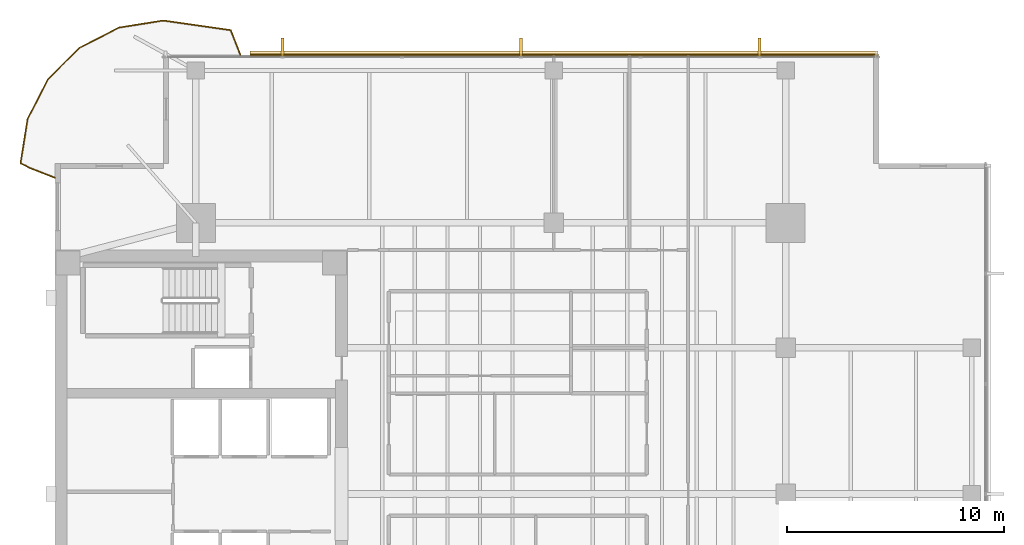
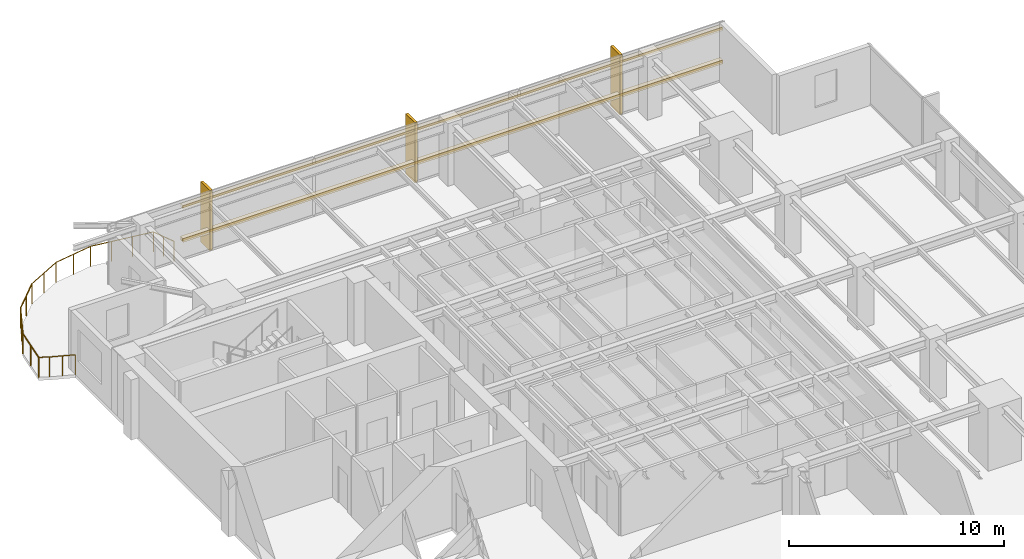
# One storey, part 15 of 15: 9 railings, 5 coverings, 2 shading devices.
"""IFC4 building model written with IfcOpenShell, lengths in metres."""

from ifc_helpers import new_model, si_unit, direction, frame, origin, origin_2d, place, context, subcontext, project, spatial, polyline, rectangle, circle, outline, extrude, material, layer, layer_set, material_profile, profile_set, type_object, element, save


model = new_model("IFC4")

# Units and contexts
model_context = context("Model", 3, precision=1e-05, world=origin(), true_north=direction((0.0, 1.0)))
body_context = subcontext(model_context, "Body", "Model", "MODEL_VIEW")
ifc_project = project(units=[si_unit("LENGTHUNIT", "METRE"), si_unit("AREAUNIT", "SQUARE_METRE"), si_unit("VOLUMEUNIT", "CUBIC_METRE"), si_unit("PLANEANGLEUNIT", "RADIAN"), si_unit("MASSUNIT", "GRAM", prefix="KILO")], contexts=[model_context])

# Site, building, storey
site_placement = place(None, origin())
site = spatial("IfcSite", under=ifc_project, at=site_placement, CompositionType="ELEMENT")
building_placement = place(site_placement, origin())
building = spatial("IfcBuilding", under=site, at=building_placement, Name="Kinhvarn Gate Tower", CompositionType="ELEMENT")
storey_placement = place(building_placement, frame((0.0, 0.0, 220.0)))
storey = spatial("IfcBuildingStorey", under=building, at=storey_placement, Name="L58", CompositionType="ELEMENT", Elevation=220.0)

# Coverings
ifc_material_1 = material(Name="Fired architectural terracotta", Category="masonry")
ifc_layer_1 = layer(ifc_material_1, 0.239990234375)
ifc_layer_set_1 = layer_set([ifc_layer_1], Name="Fired architectural terracotta")
covering_type_1 = type_object("IfcCoveringType", Name="COV-BAG-220", PredefinedType="CLADDING", material=ifc_layer_set_1)
for number, where, name in (
    (1, (0.0, 0.0, 0.93994140625), "Terracotta Horizontal Sunscreen Band TBG-220 (L58)"),
    (2, (0.0, 0.0, 2.81005859375), "Terracotta Horizontal Sunscreen Band TBG-220 (L58)"),
):
    element("IfcCovering", number, at=place(storey_placement, frame(where)), inside=storey, type_object=covering_type_1, Name=name, PredefinedType="CLADDING", context=body_context, shape_type="SweptSolid", body=[
        extrude(outline(polyline([(42.4599609375, 45.429931640625), (13.507080078125, 45.429931640625), (13.507080078125, 45.669921875), (42.4599609375, 45.669921875), (42.4599609375, 45.429931640625)])), origin(), (0.0, 0.0, 1.0), 0.219970703125),
    ])
ifc_layer_2 = layer(ifc_material_1, 0.139892578125)
ifc_layer_set_2 = layer_set([ifc_layer_2], Name="Fired architectural terracotta")
covering_type_2 = type_object("IfcCoveringType", Name="COV-FIN-850", PredefinedType="CLADDING", material=ifc_layer_set_2)
covering_1_placement = place(storey_placement, frame((0.0, 0.0, -0.02001953125)))
element("IfcCovering", 3, at=covering_1_placement, inside=storey, type_object=covering_type_2, Name="Vertical Terracotta Expressive Fin TFN-850 (L58)", PredefinedType="CLADDING", context=body_context, shape_type="SweptSolid", body=[
    extrude(outline(polyline([(37.070068359375, 45.419921875), (36.929931640625, 45.419921875), (36.929931640625, 46.27001953125), (37.070068359375, 46.27001953125), (37.070068359375, 45.419921875)])), origin(), (0.0, 0.0, 1.0), 3.409912109375),
])
covering_2_placement = place(storey_placement, frame((0.0, 0.0, -0.02001953125)))
element("IfcCovering", 4, at=covering_2_placement, inside=storey, type_object=covering_type_2, Name="Vertical Terracotta Expressive Fin TFN-850 (L58)", PredefinedType="CLADDING", context=body_context, shape_type="SweptSolid", body=[
    extrude(outline(polyline([(26.070068359375, 45.419921875), (25.929931640625, 45.419921875), (25.929931640625, 46.27001953125), (26.070068359375, 46.27001953125), (26.070068359375, 45.419921875)])), origin(), (0.0, 0.0, 1.0), 3.409912109375),
])
covering_3_placement = place(storey_placement, frame((0.0, 0.0, -0.02001953125)))
element("IfcCovering", 5, at=covering_3_placement, inside=storey, type_object=covering_type_2, Name="Vertical Terracotta Expressive Fin TFN-850 (L58)", PredefinedType="CLADDING", context=body_context, shape_type="SweptSolid", body=[
    extrude(outline(polyline([(15.070068359375, 45.419921875), (14.929931640625, 45.419921875), (14.929931640625, 46.27001953125), (15.070068359375, 46.27001953125), (15.070068359375, 45.419921875)])), origin(), (0.0, 0.0, 1.0), 3.409912109375),
])

# Railings
ifc_material_2 = material(Name="Clear low-e double glazing", Category="glass")
railing_type = type_object("IfcRailingType", Name="RL-BAL-1150", PredefinedType="BALUSTRADE", material=ifc_material_2)
railing_1_placement = place(storey_placement, frame((13.056884765625, 45.5, 0.0)))
element("IfcRailing", 6, at=railing_1_placement, inside=storey, type_object=railing_type, Name="S-Carve Balcony Guardrail Seg 1 (L58)", PredefinedType="BALUSTRADE", context=body_context, shape_type="SweptSolid", body=[
    extrude(circle(Radius=0.02392578125, at=origin_2d()), frame((0.0, 0.0, 1.1259765625), z_axis=(-0.366618444451, 0.930371386162, 0.0), x_axis=(-0.930371386162, -0.366618444451, 0.0)), (0.0, 0.0, 1.0), 1.227294921875),
    extrude(circle(Radius=0.02099609375, at=origin_2d()), origin(), (0.0, 0.0, 1.0), 1.101806640625),
    extrude(circle(Radius=0.02099609375, at=origin_2d()), frame((-0.22509765625, 0.57080078125, 0.0)), (0.0, 0.0, 1.0), 1.101806640625),
    extrude(circle(Radius=0.02099609375, at=origin_2d()), frame((-0.449951171875, 1.141845703125, 0.0)), (0.0, 0.0, 1.0), 1.101806640625),
])
railing_2_placement = place(storey_placement, frame((12.60693359375, 46.641845703125, 0.0)))
element("IfcRailing", 7, at=railing_2_placement, inside=storey, type_object=railing_type, Name="S-Carve Balcony Guardrail Seg 2 (L58)", PredefinedType="BALUSTRADE", context=body_context, shape_type="SweptSolid", body=[
    extrude(circle(Radius=0.02392578125, at=origin_2d()), frame((0.0, 0.0, 1.1259765625), z_axis=(-0.989938600312, 0.141497588714, 0.0), x_axis=(-0.141497588714, -0.989938600312, 0.0)), (0.0, 0.0, 1.0), 3.138427734375),
    extrude(circle(Radius=0.02099609375, at=origin_2d()), origin(), (0.0, 0.0, 1.0), 1.101806640625),
    extrude(circle(Radius=0.02099609375, at=origin_2d()), frame((-1.03564453125, 0.14794921875, 0.0)), (0.0, 0.0, 1.0), 1.101806640625),
    extrude(circle(Radius=0.02099609375, at=origin_2d()), frame((-2.0712890625, 0.296142578125, 0.0)), (0.0, 0.0, 1.0), 1.101806640625),
    extrude(circle(Radius=0.02099609375, at=origin_2d()), frame((-3.10693359375, 0.444091796875, 0.0)), (0.0, 0.0, 1.0), 1.101806640625),
])
railing_3_placement = place(storey_placement, frame((9.5, 47.0859375, 0.0)))
element("IfcRailing", 8, at=railing_3_placement, inside=storey, type_object=railing_type, Name="S-Carve Balcony Guardrail Seg 3 (L58)", PredefinedType="BALUSTRADE", context=body_context, shape_type="SweptSolid", body=[
    extrude(circle(Radius=0.02392578125, at=origin_2d()), frame((0.0, 0.0, 1.1259765625), z_axis=(-0.987693698372, -0.156400633619, 0.0), x_axis=(0.156400633619, -0.987693698372, 0.0)), (0.0, 0.0, 1.0), 2.060546875),
    extrude(circle(Radius=0.02099609375, at=origin_2d()), origin(), (0.0, 0.0, 1.0), 1.101806640625),
    extrude(circle(Radius=0.02099609375, at=origin_2d()), frame((-1.017578125, -0.1611328125, 0.0)), (0.0, 0.0, 1.0), 1.101806640625),
    extrude(circle(Radius=0.02099609375, at=origin_2d()), frame((-2.03515625, -0.322265625, 0.0)), (0.0, 0.0, 1.0), 1.101806640625),
])
railing_4_placement = place(storey_placement, frame((7.46484375, 46.763671875, 0.0)))
element("IfcRailing", 9, at=railing_4_placement, inside=storey, type_object=railing_type, Name="S-Carve Balcony Guardrail Seg 4 (L58)", PredefinedType="BALUSTRADE", context=body_context, shape_type="SweptSolid", body=[
    extrude(circle(Radius=0.02392578125, at=origin_2d()), frame((0.0, 0.0, 1.1259765625), z_axis=(-0.890988856598, -0.454025172671, 0.0), x_axis=(0.454025172671, -0.890988856598, 0.0)), (0.0, 0.0, 1.0), 2.060546875),
    extrude(circle(Radius=0.02099609375, at=origin_2d()), origin(), (0.0, 0.0, 1.0), 1.101806640625),
    extrude(circle(Radius=0.02099609375, at=origin_2d()), frame((-0.91796875, -0.4677734375, 0.0)), (0.0, 0.0, 1.0), 1.101806640625),
    extrude(circle(Radius=0.02099609375, at=origin_2d()), frame((-1.8359375, -0.935546875, 0.0)), (0.0, 0.0, 1.0), 1.101806640625),
])
railing_5_placement = place(storey_placement, frame((5.62890625, 45.828125, 0.0)))
element("IfcRailing", 10, at=railing_5_placement, inside=storey, type_object=railing_type, Name="S-Carve Balcony Guardrail Seg 5 (L58)", PredefinedType="BALUSTRADE", context=body_context, shape_type="SweptSolid", body=[
    extrude(circle(Radius=0.02392578125, at=origin_2d()), frame((0.0, 0.0, 1.1259765625), z_axis=(-0.707106781187, -0.707106781187, 0.0), x_axis=(0.707106781187, -0.707106781187, 0.0)), (0.0, 0.0, 1.0), 2.060546875),
    extrude(circle(Radius=0.02099609375, at=origin_2d()), origin(), (0.0, 0.0, 1.0), 1.101806640625),
    extrude(circle(Radius=0.02099609375, at=origin_2d()), frame((-0.728515625, -0.728515625, 0.0)), (0.0, 0.0, 1.0), 1.101806640625),
    extrude(circle(Radius=0.02099609375, at=origin_2d()), frame((-1.45703125, -1.45703125, 0.0)), (0.0, 0.0, 1.0), 1.101806640625),
])
railing_6_placement = place(storey_placement, frame((4.171875, 44.37109375, 0.0)))
element("IfcRailing", 11, at=railing_6_placement, inside=storey, type_object=railing_type, Name="S-Carve Balcony Guardrail Seg 6 (L58)", PredefinedType="BALUSTRADE", context=body_context, shape_type="SweptSolid", body=[
    extrude(circle(Radius=0.02392578125, at=origin_2d()), frame((0.0, 0.0, 1.1259765625), z_axis=(-0.454025172671, -0.890988856598, 0.0), x_axis=(0.890988856598, -0.454025172671, 0.0)), (0.0, 0.0, 1.0), 2.060546875),
    extrude(circle(Radius=0.02099609375, at=origin_2d()), origin(), (0.0, 0.0, 1.0), 1.101806640625),
    extrude(circle(Radius=0.02099609375, at=origin_2d()), frame((-0.4677734375, -0.91796875, 0.0)), (0.0, 0.0, 1.0), 1.101806640625),
    extrude(circle(Radius=0.02099609375, at=origin_2d()), frame((-0.935546875, -1.8359375, 0.0)), (0.0, 0.0, 1.0), 1.101806640625),
])
railing_7_placement = place(storey_placement, frame((3.236328125, 42.53515625, 0.0)))
element("IfcRailing", 12, at=railing_7_placement, inside=storey, type_object=railing_type, Name="S-Carve Balcony Guardrail Seg 7 (L58)", PredefinedType="BALUSTRADE", context=body_context, shape_type="SweptSolid", body=[
    extrude(circle(Radius=0.02392578125, at=origin_2d()), frame((0.0, 0.0, 1.1259765625), z_axis=(-0.156400633619, -0.987693698372, 0.0), x_axis=(0.987693698372, -0.156400633619, 0.0)), (0.0, 0.0, 1.0), 2.060546875),
    extrude(circle(Radius=0.02099609375, at=origin_2d()), origin(), (0.0, 0.0, 1.0), 1.101806640625),
    extrude(circle(Radius=0.02099609375, at=origin_2d()), frame((-0.1611328125, -1.017578125, 0.0)), (0.0, 0.0, 1.0), 1.101806640625),
    extrude(circle(Radius=0.02099609375, at=origin_2d()), frame((-0.322265625, -2.03515625, 0.0)), (0.0, 0.0, 1.0), 1.101806640625),
])
railing_8_placement = place(storey_placement, frame((2.9140625, 40.5, 0.0)))
element("IfcRailing", 13, at=railing_8_placement, inside=storey, type_object=railing_type, Name="S-Carve Balcony Guardrail Seg 8 (L58)", PredefinedType="BALUSTRADE", context=body_context, shape_type="SweptSolid", body=[
    extrude(circle(Radius=0.02392578125, at=origin_2d()), frame((0.0, 0.0, 1.1259765625), z_axis=(0.897660511744, -0.4406876509, 0.0), x_axis=(0.4406876509, 0.897660511744, 0.0)), (0.0, 0.0, 1.0), 0.49462890625),
    extrude(circle(Radius=0.02099609375, at=origin_2d()), origin(), (0.0, 0.0, 1.0), 1.101806640625),
    extrude(circle(Radius=0.02099609375, at=origin_2d()), frame((0.444091796875, -0.218017578125, 0.0)), (0.0, 0.0, 1.0), 1.101806640625),
])
railing_9_placement = place(storey_placement, frame((3.358154296875, 40.281982421875, 0.0)))
element("IfcRailing", 14, at=railing_9_placement, inside=storey, type_object=railing_type, Name="S-Carve Balcony Guardrail Seg 9 (L58)", PredefinedType="BALUSTRADE", context=body_context, shape_type="SweptSolid", body=[
    extrude(circle(Radius=0.02392578125, at=origin_2d()), frame((0.0, 0.0, 1.1259765625), z_axis=(0.930371386162, -0.366618444451, 0.0), x_axis=(0.366618444451, 0.930371386162, 0.0)), (0.0, 0.0, 1.0), 1.227294921875),
    extrude(circle(Radius=0.02099609375, at=origin_2d()), origin(), (0.0, 0.0, 1.0), 1.101806640625),
    extrude(circle(Radius=0.02099609375, at=origin_2d()), frame((0.57080078125, -0.22509765625, 0.0)), (0.0, 0.0, 1.0), 1.101806640625),
    extrude(circle(Radius=0.02099609375, at=origin_2d()), frame((1.141845703125, -0.449951171875, 0.0)), (0.0, 0.0, 1.0), 1.101806640625),
])

# Shading devices
ifc_material_profile = material_profile(ifc_material_1, rectangle(XDim=0.050048828125, YDim=0.1201171875, at=origin_2d()), Name="TC 50x120")
ifc_profile_set = profile_set([ifc_material_profile], Name="Fired architectural terracotta")
shading_device_type = type_object("IfcShadingDeviceType", Name="SHD-BAG-140", PredefinedType="USERDEFINED", material=ifc_profile_set)
for number, where, z_axis, x_axis, name in (
    (15, (42.4599609375, 45.5, 1.050048828125), (-1.0, 0.0, 0.0), (0.0, -1.0, 0.0), "Upper Tower Terracotta Baguette Screen Rod 50x120 mm (L58)"),
    (16, (42.4599609375, 45.5, 2.919921875), (-1.0, 0.0, 0.0), (0.0, -1.0, 0.0), "Upper Tower Terracotta Baguette Screen Rod 50x120 mm (L58)"),
):
    element("IfcShadingDevice", number, at=place(storey_placement, frame(where, z_axis=z_axis, x_axis=x_axis)), inside=storey, type_object=shading_device_type, Name=name, ObjectType="BAGUETTE", PredefinedType="USERDEFINED", context=body_context, shape_type="SweptSolid", body=[
        extrude(rectangle(XDim=0.050048828125, YDim=0.1201171875, at=origin_2d()), origin(), (0.0, 0.0, 1.0), 28.952880859375),
    ])

save(model, "model.ifc")
